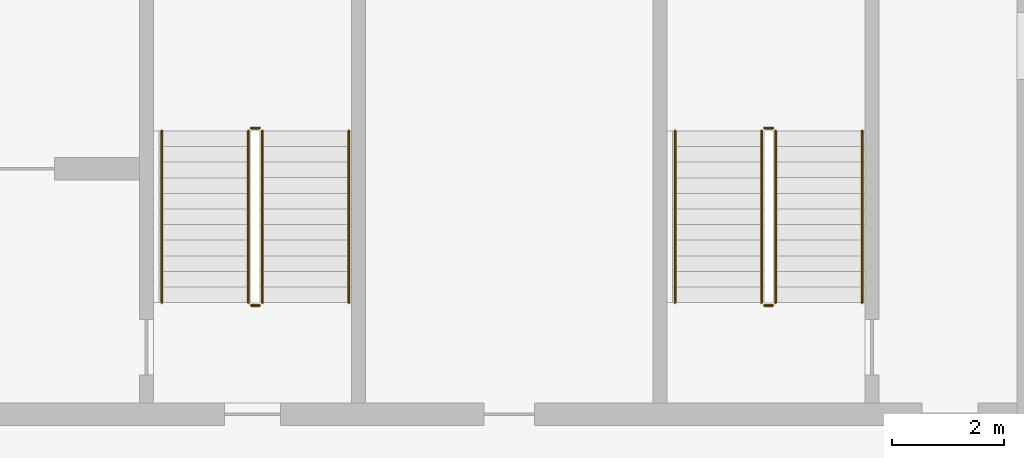
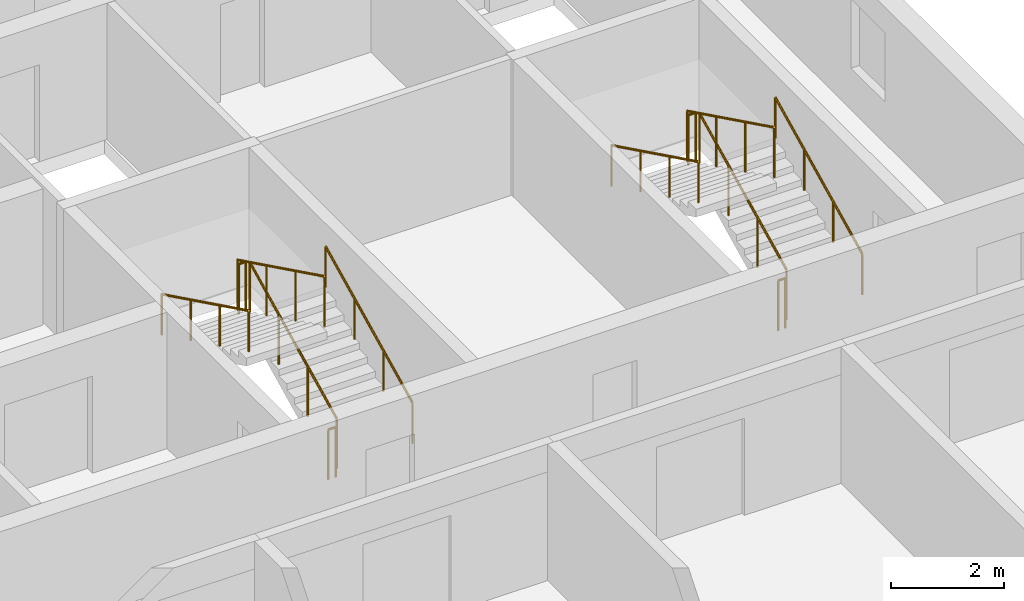
# One storey, part 13 of 13: 12 railings.
"""IFC4 building model written with IfcOpenShell, lengths in metres."""

from ifc_helpers import new_model, si_unit, direction, frame, origin, origin_2d, place, context, subcontext, project, spatial, circle, extrude, material, type_object, element, save


model = new_model("IFC4")

# Units and contexts
model_context = context("Model", 3, precision=1e-05, world=origin(), true_north=direction((0.0, 1.0)))
body_context = subcontext(model_context, "Body", "Model", "MODEL_VIEW")
ifc_project = project(units=[si_unit("LENGTHUNIT", "METRE"), si_unit("AREAUNIT", "SQUARE_METRE"), si_unit("VOLUMEUNIT", "CUBIC_METRE"), si_unit("PLANEANGLEUNIT", "RADIAN"), si_unit("MASSUNIT", "GRAM", prefix="KILO")], contexts=[model_context])

# Site, building, storey
site_placement = place(None, origin())
site = spatial("IfcSite", under=ifc_project, at=site_placement, CompositionType="ELEMENT")
building_placement = place(site_placement, origin())
building = spatial("IfcBuilding", under=site, at=building_placement, Name="Poui Terraces", CompositionType="ELEMENT")
storey_placement = place(building_placement, frame((0.0, 0.0, 211.5)))
storey = spatial("IfcBuildingStorey", under=building, at=storey_placement, Name="L59", CompositionType="ELEMENT", Elevation=211.5)

# Railings
ifc_material_1 = material(Name="Galvanised steel balustrade", Category="steel")
railing_type_1 = type_object("IfcRailingType", Name="STAIR GUARD 1100", PredefinedType="GUARDRAIL", material=ifc_material_1)
railing_1_placement = place(storey_placement, frame((70.27490234375, 16.60009765625, 0.137451171875)))
element("IfcRailing", 1, at=railing_1_placement, inside=storey, type_object=railing_type_1, Name="L59 ST-CE stair guard 1", PredefinedType="GUARDRAIL", context=body_context, shape_type="SweptSolid", body=[
    extrude(circle(Radius=0.02392578125, at=origin_2d()), frame((0.0, 0.0, 1.076171875), z_axis=(0.0, 0.897606190399, 0.440798283751), x_axis=(-1.0, 0.0, 0.0)), (0.0, 0.0, 1.0), 3.43115234375),
    extrude(circle(Radius=0.02099609375, at=origin_2d()), origin(), (0.0, 0.0, 1.0), 1.052001953125),
    extrude(circle(Radius=0.02099609375, at=origin_2d()), frame((0.0, 1.026611328125, 0.504150390625)), (0.0, 0.0, 1.0), 1.052001953125),
    extrude(circle(Radius=0.02099609375, at=origin_2d()), frame((0.0, 2.05322265625, 1.00830078125)), (0.0, 0.0, 1.0), 1.052001953125),
    extrude(circle(Radius=0.02099609375, at=origin_2d()), frame((0.0, 3.079833984375, 1.512451171875)), (0.0, 0.0, 1.0), 1.052001953125),
])
railing_2_placement = place(storey_placement, frame((70.22509765625, 19.72998046875, 1.64990234375)))
element("IfcRailing", 2, at=railing_2_placement, inside=storey, type_object=railing_type_1, Name="L59 ST-CE stair guard 2", PredefinedType="GUARDRAIL", context=body_context, shape_type="SweptSolid", body=[
    extrude(circle(Radius=0.02392578125, at=origin_2d()), frame((0.0, 0.0, 1.076171875), z_axis=(-1.0, 0.0, 0.0), x_axis=(0.0, -1.0, 0.0)), (0.0, 0.0, 1.0), 0.150146484375),
    extrude(circle(Radius=0.02099609375, at=origin_2d()), origin(), (0.0, 0.0, 1.0), 1.052001953125),
    extrude(circle(Radius=0.02099609375, at=origin_2d()), frame((-0.150146484375, 0.0, 0.0)), (0.0, 0.0, 1.0), 1.052001953125),
])
railing_3_placement = place(storey_placement, frame((70.02490234375, 19.679931640625, 1.78759765625)))
element("IfcRailing", 3, at=railing_3_placement, inside=storey, type_object=railing_type_1, Name="L59 ST-CE stair guard 3", PredefinedType="GUARDRAIL", context=body_context, shape_type="SweptSolid", body=[
    extrude(circle(Radius=0.02392578125, at=origin_2d()), frame((0.0, 0.0, 1.076171875), z_axis=(0.0, -0.897606190399, 0.440798283751), x_axis=(1.0, 0.0, 0.0)), (0.0, 0.0, 1.0), 3.43115234375),
    extrude(circle(Radius=0.02099609375, at=origin_2d()), origin(), (0.0, 0.0, 1.0), 1.052001953125),
    extrude(circle(Radius=0.02099609375, at=origin_2d()), frame((0.0, -1.026611328125, 0.504150390625)), (0.0, 0.0, 1.0), 1.052001953125),
    extrude(circle(Radius=0.02099609375, at=origin_2d()), frame((0.0, -2.05322265625, 1.00830078125)), (0.0, 0.0, 1.0), 1.052001953125),
    extrude(circle(Radius=0.02099609375, at=origin_2d()), frame((0.0, -3.079833984375, 1.512451171875)), (0.0, 0.0, 1.0), 1.052001953125),
])
railing_4_placement = place(storey_placement, frame((70.22509765625, 16.550048828125, 0.0)))
element("IfcRailing", 4, at=railing_4_placement, inside=storey, type_object=railing_type_1, Name="L59 ST-CE stair guard 4", PredefinedType="GUARDRAIL", context=body_context, shape_type="SweptSolid", body=[
    extrude(circle(Radius=0.02392578125, at=origin_2d()), frame((0.0, 0.0, 1.076171875), z_axis=(-1.0, 0.0, 0.0), x_axis=(0.0, -1.0, 0.0)), (0.0, 0.0, 1.0), 0.150146484375),
    extrude(circle(Radius=0.02099609375, at=origin_2d()), origin(), (0.0, 0.0, 1.0), 1.052001953125),
    extrude(circle(Radius=0.02099609375, at=origin_2d()), frame((-0.150146484375, 0.0, 0.0)), (0.0, 0.0, 1.0), 1.052001953125),
])
railing_5_placement = place(storey_placement, frame((79.47509765625, 16.60009765625, 0.137451171875)))
element("IfcRailing", 5, at=railing_5_placement, inside=storey, type_object=railing_type_1, Name="L59 ST-E stair guard 1", PredefinedType="GUARDRAIL", context=body_context, shape_type="SweptSolid", body=[
    extrude(circle(Radius=0.02392578125, at=origin_2d()), frame((0.0, 0.0, 1.076171875), z_axis=(0.0, 0.897606190399, 0.440798283751), x_axis=(-1.0, 0.0, 0.0)), (0.0, 0.0, 1.0), 3.43115234375),
    extrude(circle(Radius=0.02099609375, at=origin_2d()), origin(), (0.0, 0.0, 1.0), 1.052001953125),
    extrude(circle(Radius=0.02099609375, at=origin_2d()), frame((0.0, 1.026611328125, 0.504150390625)), (0.0, 0.0, 1.0), 1.052001953125),
    extrude(circle(Radius=0.02099609375, at=origin_2d()), frame((0.0, 2.05322265625, 1.00830078125)), (0.0, 0.0, 1.0), 1.052001953125),
    extrude(circle(Radius=0.02099609375, at=origin_2d()), frame((0.0, 3.079833984375, 1.512451171875)), (0.0, 0.0, 1.0), 1.052001953125),
])
railing_6_placement = place(storey_placement, frame((79.425048828125, 19.72998046875, 1.64990234375)))
element("IfcRailing", 6, at=railing_6_placement, inside=storey, type_object=railing_type_1, Name="L59 ST-E stair guard 2", PredefinedType="GUARDRAIL", context=body_context, shape_type="SweptSolid", body=[
    extrude(circle(Radius=0.02392578125, at=origin_2d()), frame((0.0, 0.0, 1.076171875), z_axis=(-1.0, 0.0, 0.0), x_axis=(0.0, -1.0, 0.0)), (0.0, 0.0, 1.0), 0.150146484375),
    extrude(circle(Radius=0.02099609375, at=origin_2d()), origin(), (0.0, 0.0, 1.0), 1.052001953125),
    extrude(circle(Radius=0.02099609375, at=origin_2d()), frame((-0.150146484375, 0.0, 0.0)), (0.0, 0.0, 1.0), 1.052001953125),
])
railing_7_placement = place(storey_placement, frame((79.22509765625, 19.679931640625, 1.78759765625)))
element("IfcRailing", 7, at=railing_7_placement, inside=storey, type_object=railing_type_1, Name="L59 ST-E stair guard 3", PredefinedType="GUARDRAIL", context=body_context, shape_type="SweptSolid", body=[
    extrude(circle(Radius=0.02392578125, at=origin_2d()), frame((0.0, 0.0, 1.076171875), z_axis=(0.0, -0.897606190399, 0.440798283751), x_axis=(1.0, 0.0, 0.0)), (0.0, 0.0, 1.0), 3.43115234375),
    extrude(circle(Radius=0.02099609375, at=origin_2d()), origin(), (0.0, 0.0, 1.0), 1.052001953125),
    extrude(circle(Radius=0.02099609375, at=origin_2d()), frame((0.0, -1.026611328125, 0.504150390625)), (0.0, 0.0, 1.0), 1.052001953125),
    extrude(circle(Radius=0.02099609375, at=origin_2d()), frame((0.0, -2.05322265625, 1.00830078125)), (0.0, 0.0, 1.0), 1.052001953125),
    extrude(circle(Radius=0.02099609375, at=origin_2d()), frame((0.0, -3.079833984375, 1.512451171875)), (0.0, 0.0, 1.0), 1.052001953125),
])
railing_8_placement = place(storey_placement, frame((79.425048828125, 16.550048828125, 0.0)))
element("IfcRailing", 8, at=railing_8_placement, inside=storey, type_object=railing_type_1, Name="L59 ST-E stair guard 4", PredefinedType="GUARDRAIL", context=body_context, shape_type="SweptSolid", body=[
    extrude(circle(Radius=0.02392578125, at=origin_2d()), frame((0.0, 0.0, 1.076171875), z_axis=(-1.0, 0.0, 0.0), x_axis=(0.0, -1.0, 0.0)), (0.0, 0.0, 1.0), 0.150146484375),
    extrude(circle(Radius=0.02099609375, at=origin_2d()), origin(), (0.0, 0.0, 1.0), 1.052001953125),
    extrude(circle(Radius=0.02099609375, at=origin_2d()), frame((-0.150146484375, 0.0, 0.0)), (0.0, 0.0, 1.0), 1.052001953125),
])
ifc_material_2 = material(Name="Stainless steel handrail", Category="steel")
railing_type_2 = type_object("IfcRailingType", Name="STAIR HANDRAIL 900", PredefinedType="HANDRAIL", material=ifc_material_2)
railing_9_placement = place(storey_placement, frame((71.824951171875, 16.60009765625, 0.137451171875)))
element("IfcRailing", 9, at=railing_9_placement, inside=storey, type_object=railing_type_2, Name="L59 ST-CE stair handrail 1", PredefinedType="HANDRAIL", context=body_context, shape_type="SweptSolid", body=[
    extrude(circle(Radius=0.02392578125, at=origin_2d()), frame((0.0, 0.0, 0.8759765625), z_axis=(0.0, 0.897606190399, 0.440798283751), x_axis=(-1.0, 0.0, 0.0)), (0.0, 0.0, 1.0), 3.43115234375),
    extrude(circle(Radius=0.02099609375, at=origin_2d()), origin(), (0.0, 0.0, 1.0), 0.851806640625),
    extrude(circle(Radius=0.02099609375, at=origin_2d()), frame((0.0, 1.026611328125, 0.504150390625)), (0.0, 0.0, 1.0), 0.851806640625),
    extrude(circle(Radius=0.02099609375, at=origin_2d()), frame((0.0, 2.05322265625, 1.00830078125)), (0.0, 0.0, 1.0), 0.851806640625),
    extrude(circle(Radius=0.02099609375, at=origin_2d()), frame((0.0, 3.079833984375, 1.512451171875)), (0.0, 0.0, 1.0), 0.851806640625),
])
railing_10_placement = place(storey_placement, frame((68.47509765625, 19.679931640625, 1.78759765625)))
element("IfcRailing", 10, at=railing_10_placement, inside=storey, type_object=railing_type_2, Name="L59 ST-CE stair handrail 2", PredefinedType="HANDRAIL", context=body_context, shape_type="SweptSolid", body=[
    extrude(circle(Radius=0.02392578125, at=origin_2d()), frame((0.0, 0.0, 0.8759765625), z_axis=(0.0, -0.897606190399, 0.440798283751), x_axis=(1.0, 0.0, 0.0)), (0.0, 0.0, 1.0), 3.43115234375),
    extrude(circle(Radius=0.02099609375, at=origin_2d()), origin(), (0.0, 0.0, 1.0), 0.851806640625),
    extrude(circle(Radius=0.02099609375, at=origin_2d()), frame((0.0, -1.026611328125, 0.504150390625)), (0.0, 0.0, 1.0), 0.851806640625),
    extrude(circle(Radius=0.02099609375, at=origin_2d()), frame((0.0, -2.05322265625, 1.00830078125)), (0.0, 0.0, 1.0), 0.851806640625),
    extrude(circle(Radius=0.02099609375, at=origin_2d()), frame((0.0, -3.079833984375, 1.512451171875)), (0.0, 0.0, 1.0), 0.851806640625),
])
railing_11_placement = place(storey_placement, frame((81.02490234375, 16.60009765625, 0.137451171875)))
element("IfcRailing", 11, at=railing_11_placement, inside=storey, type_object=railing_type_2, Name="L59 ST-E stair handrail 1", PredefinedType="HANDRAIL", context=body_context, shape_type="SweptSolid", body=[
    extrude(circle(Radius=0.02392578125, at=origin_2d()), frame((0.0, 0.0, 0.8759765625), z_axis=(0.0, 0.897606190399, 0.440798283751), x_axis=(-1.0, 0.0, 0.0)), (0.0, 0.0, 1.0), 3.43115234375),
    extrude(circle(Radius=0.02099609375, at=origin_2d()), origin(), (0.0, 0.0, 1.0), 0.851806640625),
    extrude(circle(Radius=0.02099609375, at=origin_2d()), frame((0.0, 1.026611328125, 0.504150390625)), (0.0, 0.0, 1.0), 0.851806640625),
    extrude(circle(Radius=0.02099609375, at=origin_2d()), frame((0.0, 2.05322265625, 1.00830078125)), (0.0, 0.0, 1.0), 0.851806640625),
    extrude(circle(Radius=0.02099609375, at=origin_2d()), frame((0.0, 3.079833984375, 1.512451171875)), (0.0, 0.0, 1.0), 0.851806640625),
])
railing_12_placement = place(storey_placement, frame((77.675048828125, 19.679931640625, 1.78759765625)))
element("IfcRailing", 12, at=railing_12_placement, inside=storey, type_object=railing_type_2, Name="L59 ST-E stair handrail 2", PredefinedType="HANDRAIL", context=body_context, shape_type="SweptSolid", body=[
    extrude(circle(Radius=0.02392578125, at=origin_2d()), frame((0.0, 0.0, 0.8759765625), z_axis=(0.0, -0.897606190399, 0.440798283751), x_axis=(1.0, 0.0, 0.0)), (0.0, 0.0, 1.0), 3.43115234375),
    extrude(circle(Radius=0.02099609375, at=origin_2d()), origin(), (0.0, 0.0, 1.0), 0.851806640625),
    extrude(circle(Radius=0.02099609375, at=origin_2d()), frame((0.0, -1.026611328125, 0.504150390625)), (0.0, 0.0, 1.0), 0.851806640625),
    extrude(circle(Radius=0.02099609375, at=origin_2d()), frame((0.0, -2.05322265625, 1.00830078125)), (0.0, 0.0, 1.0), 0.851806640625),
    extrude(circle(Radius=0.02099609375, at=origin_2d()), frame((0.0, -3.079833984375, 1.512451171875)), (0.0, 0.0, 1.0), 0.851806640625),
])

save(model, "model.ifc")
